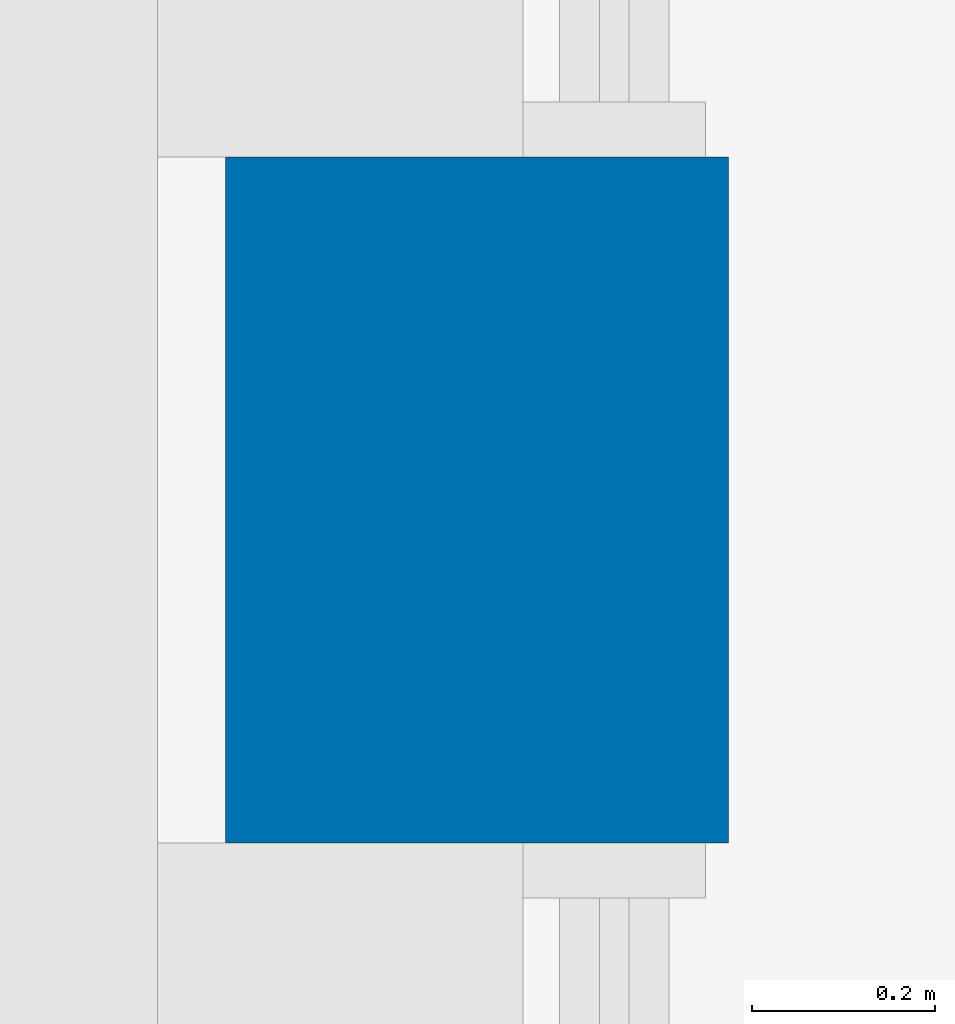
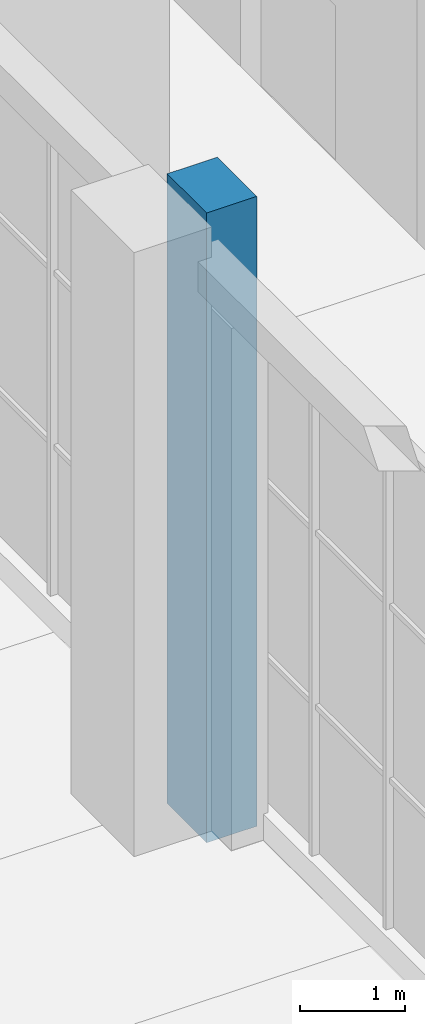
# One storey, part 9 of 95: 1 column.
"""IFC4 building model written with IfcOpenShell, lengths in metres."""

from ifc_helpers import new_model, si_unit, direction, frame, origin, origin_2d, place, context, subcontext, project, spatial, rectangle, extrude, material, material_profile, profile_set, type_object, element, save


model = new_model("IFC4")

# Units and contexts
model_context = context("Model", 3, precision=1e-05, world=origin(), true_north=direction((0.0, 1.0)))
body_context = subcontext(model_context, "Body", "Model", "MODEL_VIEW")
ifc_project = project(units=[si_unit("LENGTHUNIT", "METRE"), si_unit("AREAUNIT", "SQUARE_METRE"), si_unit("VOLUMEUNIT", "CUBIC_METRE"), si_unit("PLANEANGLEUNIT", "RADIAN"), si_unit("MASSUNIT", "GRAM", prefix="KILO")], contexts=[model_context])

# Site, building, storey
site_placement = place(None, origin())
site = spatial("IfcSite", under=ifc_project, at=site_placement, CompositionType="ELEMENT")
building_placement = place(site_placement, origin())
building = spatial("IfcBuilding", under=site, at=building_placement, Name="Saffron Lane Theatres", CompositionType="ELEMENT")
storey_placement = place(building_placement, origin())
storey = spatial("IfcBuildingStorey", under=building, at=storey_placement, Name="L00", CompositionType="ELEMENT", Elevation=0.0)

# Column
ifc_material = material(Name="Concrete N50 (50 MPa)", Category="concrete")
ifc_material_profile = material_profile(ifc_material, rectangle(XDim=0.550048828125, YDim=0.75, at=origin_2d()))
ifc_profile_set = profile_set([ifc_material_profile], Name="Concrete N50 (50 MPa)")
column_type = type_object("IfcColumnType", Name="RC-COL 550x750", PredefinedType="COLUMN", material=ifc_profile_set)
column_placement = place(storey_placement, frame((12.0, 48.0, -0.300048828125), z_axis=(0.0, 0.0, 1.0), x_axis=(1.0, 0.0, 0.0)))
element("IfcColumn", 1, at=column_placement, inside=storey, type_object=column_type, Name="col-L00-C9", PredefinedType="COLUMN", context=body_context, shape_type="SweptSolid", body=[
    extrude(rectangle(XDim=0.550048828125, YDim=0.75, at=origin_2d()), origin(), (0.0, 0.0, 1.0), 7.300048828125),
])

save(model, "model.ifc")
